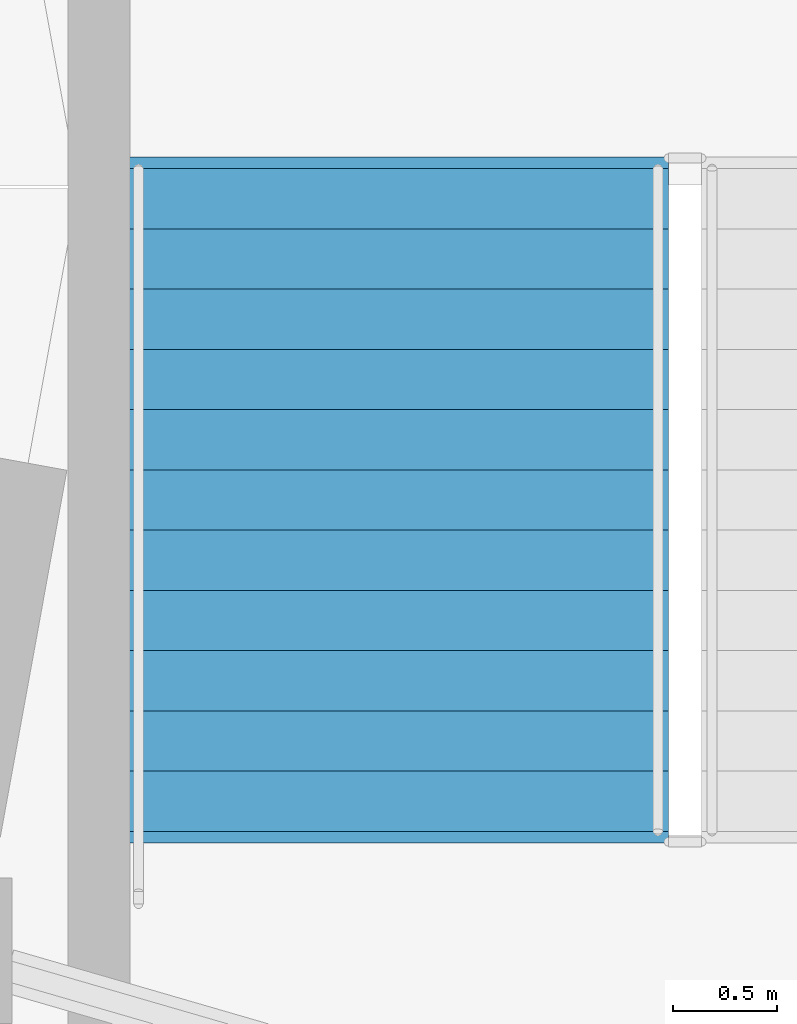
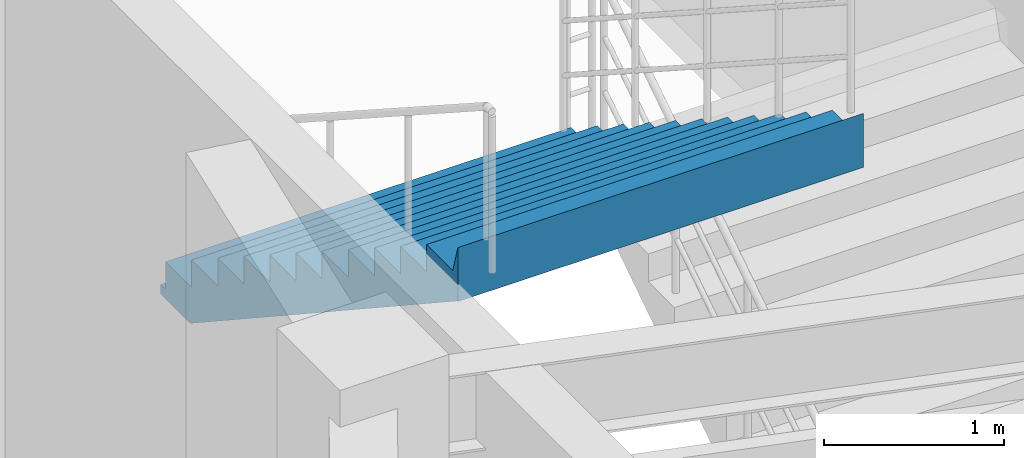
# One storey, part 52 of 60: 1 stair flight, 1 element without a shape of its own.
"""IFC4 building model written with IfcOpenShell, lengths in metres."""

from ifc_helpers import new_model, si_unit, direction, frame, origin, place, context, subcontext, project, spatial, polyline, outline, extrude, material, type_object, element, aggregate, save


model = new_model("IFC4")

# Units and contexts
model_context = context("Model", 3, precision=1e-05, world=origin(), true_north=direction((0.0, 1.0)))
body_context = subcontext(model_context, "Body", "Model", "MODEL_VIEW")
ifc_project = project(units=[si_unit("LENGTHUNIT", "METRE"), si_unit("AREAUNIT", "SQUARE_METRE"), si_unit("VOLUMEUNIT", "CUBIC_METRE"), si_unit("PLANEANGLEUNIT", "RADIAN"), si_unit("MASSUNIT", "GRAM", prefix="KILO")], contexts=[model_context])

# Site, building, storey
site_placement = place(None, origin())
site = spatial("IfcSite", under=ifc_project, at=site_placement, CompositionType="ELEMENT")
building_placement = place(site_placement, origin())
building = spatial("IfcBuilding", under=site, at=building_placement, Name="Cinderbank Siding Concert Hall", CompositionType="ELEMENT")
storey_placement = place(building_placement, frame((0.0, 0.0, 14.699951171875)))
storey = spatial("IfcBuildingStorey", under=building, at=storey_placement, Name="L04", CompositionType="ELEMENT", Elevation=14.699951171875)

# Stair, stair flight
ifc_material = material(Name="Reinforced concrete AS 3600 N50 (50 MPa)", Category="concrete")
stair_type = type_object("IfcStairType", Name="STR-B Dogleg Exit Stair 2600mm", PredefinedType="HALF_TURN_STAIR", material=ifc_material)
stair_placement = place(storey_placement, origin())
stair = element("IfcStair", 1, at=stair_placement, inside=storey, type_object=stair_type, Name="L04 Fire-isolated Exit Stair ST-03", PredefinedType="HALF_TURN_STAIR")
stair_flight_type = type_object("IfcStairFlightType", Name="SFL-B Concrete Stair Flight 2600mm", PredefinedType="STRAIGHT", material=ifc_material)
stair_flight_placement = place(storey_placement, frame((143.139892578125, 44.090087890625, 2.25), z_axis=(0.0, 0.0, 1.0), x_axis=(0.0, -1.0, 0.0)))
stair_flight = element("IfcStairFlight", 2, at=stair_flight_placement, type_object=stair_flight_type, Name="ST-03 flight 2", NumberOfRisers=12, NumberOfTreads=11, PredefinedType="STRAIGHT", RiserHeight=0.1875, TreadLength=0.29, context=body_context, shape_type="SweptSolid", body=[
    extrude(outline(polyline([(0.0, 0.0), (0.0, 0.1875), (0.2900390625, 0.1875), (0.2900390625, 0.375), (0.580078125, 0.375), (0.580078125, 0.5625), (0.8701171875, 0.5625), (0.8701171875, 0.75), (1.159912109375, 0.75), (1.159912109375, 0.9375), (1.449951171875, 0.9375), (1.449951171875, 1.125), (1.739990234375, 1.125), (1.739990234375, 1.3125), (2.030029296875, 1.3125), (2.030029296875, 1.5), (2.320068359375, 1.5), (2.320068359375, 1.6875), (2.610107421875, 1.6875), (2.610107421875, 1.875), (2.89990234375, 1.875), (2.89990234375, 2.0625), (3.18994140625, 2.0625), (3.244873046875, 2.25), (3.244873046875, 1.884033203125), (3.24462890625, 1.88427734375), (3.24462890625, 1.884521484375), (3.24462890625, 1.884765625), (3.24462890625, 1.885009765625), (3.24462890625, 1.88525390625), (3.24462890625, 1.885498046875), (3.24462890625, 1.8857421875), (3.24462890625, 1.885986328125), (3.24462890625, 1.88623046875), (3.24462890625, 1.886474609375), (3.24462890625, 1.88671875), (3.24462890625, 1.886962890625), (3.244384765625, 1.886962890625), (3.244384765625, 1.88671875), (3.244384765625, 1.886474609375), (3.244384765625, 1.88623046875), (3.244384765625, 1.885986328125), (3.244384765625, 1.8857421875), (3.244384765625, 1.885498046875), (3.244384765625, 1.88525390625), (3.244384765625, 1.885009765625), (3.244384765625, 1.884765625), (3.244384765625, 1.884521484375), (3.244384765625, 1.88427734375), (3.244384765625, 1.884033203125), (3.244140625, 1.88427734375), (3.244140625, 1.884521484375), (3.244140625, 1.884765625), (3.244140625, 1.885009765625), (3.244140625, 1.88525390625), (3.244140625, 1.885498046875), (3.244140625, 1.8857421875), (3.244140625, 1.885986328125), (3.244140625, 1.88623046875), (3.244140625, 1.886474609375), (3.244140625, 1.88671875), (3.244140625, 1.886962890625), (3.243896484375, 1.886962890625), (3.243896484375, 1.88671875), (3.243896484375, 1.886474609375), (3.243896484375, 1.88623046875), (3.243896484375, 1.885986328125), (3.243896484375, 1.8857421875), (3.243896484375, 1.885498046875), (3.243896484375, 1.88525390625), (3.243896484375, 1.885009765625), (3.243896484375, 1.884765625), (3.243896484375, 1.884521484375), (3.243896484375, 1.88427734375), (3.243896484375, 1.884033203125), (3.24365234375, 1.88427734375), (3.24365234375, 1.884521484375), (3.24365234375, 1.884765625), (3.24365234375, 1.885009765625), (3.24365234375, 1.88525390625), (3.24365234375, 1.885498046875), (3.24365234375, 1.8857421875), (3.24365234375, 1.885986328125), (3.24365234375, 1.88623046875), (3.24365234375, 1.886474609375), (3.24365234375, 1.88671875), (3.24365234375, 1.886962890625), (3.243408203125, 1.886962890625), (3.243408203125, 1.88671875), (3.243408203125, 1.886474609375), (3.243408203125, 1.88623046875), (3.243408203125, 1.885986328125), (3.243408203125, 1.8857421875), (3.243408203125, 1.885498046875), (3.243408203125, 1.88525390625), (3.243408203125, 1.885009765625), (3.243408203125, 1.884765625), (3.243408203125, 1.884521484375), (3.243408203125, 1.88427734375), (3.243408203125, 1.884033203125), (3.2431640625, 1.88427734375), (3.2431640625, 1.884521484375), (3.2431640625, 1.884765625), (3.2431640625, 1.885009765625), (3.2431640625, 1.88525390625), (3.2431640625, 1.885498046875), (3.2431640625, 1.8857421875), (3.2431640625, 1.885986328125), (3.2431640625, 1.88623046875), (3.2431640625, 1.886474609375), (3.2431640625, 1.88671875), (3.2431640625, 1.886962890625), (3.242919921875, 1.886962890625), (3.242919921875, 1.88671875), (3.242919921875, 1.886474609375), (3.242919921875, 1.88623046875), (3.242919921875, 1.885986328125), (3.242919921875, 1.8857421875), (3.242919921875, 1.885498046875), (3.242919921875, 1.88525390625), (3.242919921875, 1.885009765625), (3.242919921875, 1.884765625), (3.242919921875, 1.884521484375), (3.242919921875, 1.88427734375), (3.242919921875, 1.884033203125), (3.24267578125, 1.88427734375), (3.24267578125, 1.884521484375), (3.24267578125, 1.884765625), (3.24267578125, 1.885009765625), (3.24267578125, 1.88525390625), (3.24267578125, 1.885498046875), (3.24267578125, 1.8857421875), (3.24267578125, 1.885986328125), (3.24267578125, 1.88623046875), (3.24267578125, 1.886474609375), (3.24267578125, 1.88671875), (3.24267578125, 1.886962890625), (3.242431640625, 1.886962890625), (3.242431640625, 1.88671875), (3.242431640625, 1.886474609375), (3.242431640625, 1.88623046875), (3.242431640625, 1.885986328125), (3.242431640625, 1.8857421875), (3.242431640625, 1.885498046875), (3.242431640625, 1.88525390625), (3.242431640625, 1.885009765625), (3.242431640625, 1.884765625), (3.242431640625, 1.884521484375), (3.242431640625, 1.88427734375), (3.242431640625, 1.884033203125), (3.2421875, 1.88427734375), (3.2421875, 1.884521484375), (3.2421875, 1.884765625), (3.2421875, 1.885009765625), (3.2421875, 1.88525390625), (3.2421875, 1.885498046875), (3.2421875, 1.8857421875), (3.2421875, 1.885986328125), (3.2421875, 1.88623046875), (3.2421875, 1.886474609375), (3.2421875, 1.88671875), (3.2421875, 1.886962890625), (3.241943359375, 1.886962890625), (3.241943359375, 1.88671875), (3.241943359375, 1.886474609375), (3.241943359375, 1.88623046875), (3.241943359375, 1.885986328125), (3.241943359375, 1.8857421875), (3.241943359375, 1.885498046875), (3.241943359375, 1.88525390625), (3.241943359375, 1.885009765625), (3.241943359375, 1.884765625), (3.241943359375, 1.884521484375), (3.241943359375, 1.88427734375), (3.241943359375, 1.884033203125), (3.24169921875, 1.88427734375), (3.24169921875, 1.884521484375), (3.24169921875, 1.884765625), (3.24169921875, 1.885009765625), (3.24169921875, 1.88525390625), (3.24169921875, 1.885498046875), (3.24169921875, 1.8857421875), (3.24169921875, 1.885986328125), (3.24169921875, 1.88623046875), (3.24169921875, 1.886474609375), (3.24169921875, 1.88671875), (3.24169921875, 1.886962890625), (3.241455078125, 1.886962890625), (3.241455078125, 1.88671875), (3.241455078125, 1.886474609375), (3.241455078125, 1.88623046875), (3.241455078125, 1.885986328125), (3.241455078125, 1.8857421875), (3.241455078125, 1.885498046875), (3.241455078125, 1.88525390625), (3.241455078125, 1.885009765625), (3.241455078125, 1.884765625), (3.241455078125, 1.884521484375), (3.241455078125, 1.88427734375), (3.241455078125, 1.884033203125), (3.2412109375, 1.88427734375), (3.2412109375, 1.884521484375), (3.2412109375, 1.884765625), (3.2412109375, 1.885009765625), (3.2412109375, 1.88525390625), (3.2412109375, 1.885498046875), (3.2412109375, 1.8857421875), (3.2412109375, 1.885986328125), (3.2412109375, 1.88623046875), (3.2412109375, 1.886474609375), (3.2412109375, 1.88671875), (3.2412109375, 1.886962890625), (3.240966796875, 1.886962890625), (3.240966796875, 1.88671875), (3.240966796875, 1.886474609375), (3.240966796875, 1.88623046875), (3.240966796875, 1.885986328125), (3.240966796875, 1.8857421875), (3.240966796875, 1.885498046875), (3.240966796875, 1.88525390625), (3.240966796875, 1.885009765625), (3.240966796875, 1.884765625), (3.240966796875, 1.884521484375), (3.240966796875, 1.88427734375), (3.240966796875, 1.884033203125), (3.24072265625, 1.88427734375), (3.24072265625, 1.884521484375), (3.24072265625, 1.884765625), (3.24072265625, 1.885009765625), (3.24072265625, 1.88525390625), (3.24072265625, 1.885498046875), (3.24072265625, 1.8857421875), (3.24072265625, 1.885986328125), (3.24072265625, 1.88623046875), (3.24072265625, 1.886474609375), (3.24072265625, 1.88671875), (3.24072265625, 1.886962890625), (3.240478515625, 1.886962890625), (3.240478515625, 1.88671875), (3.240478515625, 1.886474609375), (3.240478515625, 1.88623046875), (3.240478515625, 1.885986328125), (3.240478515625, 1.8857421875), (3.240478515625, 1.885498046875), (3.240478515625, 1.88525390625), (3.240478515625, 1.885009765625), (3.240478515625, 1.884765625), (3.240478515625, 1.884521484375), (3.240478515625, 1.88427734375), (3.240478515625, 1.884033203125), (3.240234375, 1.88427734375), (3.240234375, 1.884521484375), (3.240234375, 1.884765625), (3.240234375, 1.885009765625), (3.240234375, 1.88525390625), (3.240234375, 1.885498046875), (3.240234375, 1.8857421875), (3.240234375, 1.885986328125), (3.240234375, 1.88623046875), (3.240234375, 1.886474609375), (3.240234375, 1.88671875), (3.240234375, 1.886962890625), (3.239990234375, 1.886962890625), (3.239990234375, 1.88671875), (3.239990234375, 1.886474609375), (3.239990234375, 1.88623046875), (3.239990234375, 1.885986328125), (3.239990234375, 1.8857421875), (3.239990234375, 1.885498046875), (3.239990234375, 1.88525390625), (3.239990234375, 1.885009765625), (3.239990234375, 1.884765625), (3.239990234375, 1.884521484375), (3.239990234375, 1.88427734375), (3.239990234375, 1.884033203125), (3.23974609375, 1.88427734375), (3.23974609375, 1.884521484375), (3.23974609375, 1.884765625), (3.23974609375, 1.885009765625), (3.23974609375, 1.88525390625), (3.23974609375, 1.885498046875), (3.23974609375, 1.8857421875), (3.23974609375, 1.885986328125), (3.23974609375, 1.88623046875), (3.23974609375, 1.886474609375), (3.23974609375, 1.88671875), (3.23974609375, 1.886962890625), (3.239501953125, 1.886962890625), (3.239501953125, 1.88671875), (3.239501953125, 1.886474609375), (3.239501953125, 1.88623046875), (3.239501953125, 1.885986328125), (3.239501953125, 1.8857421875), (3.239501953125, 1.885498046875), (3.239501953125, 1.88525390625), (3.239501953125, 1.885009765625), (3.239501953125, 1.884765625), (3.239501953125, 1.884521484375), (3.239501953125, 1.88427734375), (3.239501953125, 1.884033203125), (3.2392578125, 1.88427734375), (3.2392578125, 1.884521484375), (3.2392578125, 1.884765625), (3.2392578125, 1.885009765625), (3.2392578125, 1.88525390625), (3.2392578125, 1.885498046875), (3.2392578125, 1.8857421875), (3.2392578125, 1.885986328125), (3.2392578125, 1.88623046875), (3.2392578125, 1.886474609375), (3.2392578125, 1.88671875), (3.2392578125, 1.886962890625), (3.239013671875, 1.886962890625), (3.239013671875, 1.88671875), (3.239013671875, 1.886474609375), (3.239013671875, 1.88623046875), (3.239013671875, 1.885986328125), (3.239013671875, 1.8857421875), (3.239013671875, 1.885498046875), (3.239013671875, 1.88525390625), (3.239013671875, 1.885009765625), (3.239013671875, 1.884765625), (3.239013671875, 1.884521484375), (3.239013671875, 1.88427734375), (3.239013671875, 1.884033203125), (3.23876953125, 1.88427734375), (3.23876953125, 1.884521484375), (3.23876953125, 1.884765625), (3.23876953125, 1.885009765625), (3.23876953125, 1.88525390625), (3.23876953125, 1.885498046875), (3.23876953125, 1.8857421875), (3.23876953125, 1.885986328125), (3.23876953125, 1.88623046875), (3.23876953125, 1.886474609375), (3.23876953125, 1.88671875), (3.23876953125, 1.886962890625), (3.238525390625, 1.886962890625), (3.238525390625, 1.88671875), (3.238525390625, 1.886474609375), (3.238525390625, 1.88623046875), (3.238525390625, 1.885986328125), (3.238525390625, 1.8857421875), (3.238525390625, 1.885498046875), (3.238525390625, 1.88525390625), (3.238525390625, 1.885009765625), (3.238525390625, 1.884765625), (3.238525390625, 1.884521484375), (3.238525390625, 1.88427734375), (3.238525390625, 1.884033203125), (0.276123046875, -0.06396484375), (-0.048583984375, -0.063720703125), (-0.048583984375, -0.0634765625), (-0.048583984375, -0.063232421875), (-0.048583984375, -0.06298828125), (-0.048583984375, -0.062744140625), (-0.048583984375, -0.0625), (-0.048583984375, -0.062255859375), (-0.048583984375, -0.06201171875), (-0.048583984375, -0.061767578125), (-0.048583984375, -0.0615234375), (-0.048583984375, -0.061279296875), (-0.048583984375, -0.06103515625), (-0.048828125, -0.06103515625), (-0.048828125, -0.061279296875), (-0.048828125, -0.0615234375), (-0.048828125, -0.061767578125), (-0.048828125, -0.06201171875), (-0.048828125, -0.062255859375), (-0.048828125, -0.0625), (-0.048828125, -0.062744140625), (-0.048828125, -0.06298828125), (-0.048828125, -0.063232421875), (-0.048828125, -0.0634765625), (-0.048828125, -0.063720703125), (-0.048828125, -0.06396484375), (-0.049072265625, -0.063720703125), (-0.049072265625, -0.0634765625), (-0.049072265625, -0.063232421875), (-0.049072265625, -0.06298828125), (-0.049072265625, -0.062744140625), (-0.049072265625, -0.0625), (-0.049072265625, -0.062255859375), (-0.049072265625, -0.06201171875), (-0.049072265625, -0.061767578125), (-0.049072265625, -0.0615234375), (-0.049072265625, -0.061279296875), (-0.049072265625, -0.06103515625), (-0.04931640625, -0.06103515625), (-0.04931640625, -0.061279296875), (-0.04931640625, -0.0615234375), (-0.04931640625, -0.061767578125), (-0.04931640625, -0.06201171875), (-0.04931640625, -0.062255859375), (-0.04931640625, -0.0625), (-0.04931640625, -0.062744140625), (-0.04931640625, -0.06298828125), (-0.04931640625, -0.063232421875), (-0.04931640625, -0.0634765625), (-0.04931640625, -0.063720703125), (-0.04931640625, -0.06396484375), (-0.049560546875, -0.063720703125), (-0.049560546875, -0.0634765625), (-0.049560546875, -0.063232421875), (-0.049560546875, -0.06298828125), (-0.049560546875, -0.062744140625), (-0.049560546875, -0.0625), (-0.049560546875, -0.062255859375), (-0.049560546875, -0.06201171875), (-0.049560546875, -0.061767578125), (-0.049560546875, -0.0615234375), (-0.049560546875, -0.061279296875), (-0.049560546875, -0.06103515625), (-0.0498046875, -0.06103515625), (-0.0498046875, -0.061279296875), (-0.0498046875, -0.0615234375), (-0.0498046875, -0.061767578125), (-0.0498046875, -0.06201171875), (-0.0498046875, -0.062255859375), (-0.0498046875, -0.0625), (-0.0498046875, -0.062744140625), (-0.0498046875, -0.06298828125), (-0.0498046875, -0.063232421875), (-0.0498046875, -0.0634765625), (-0.0498046875, -0.063720703125), (-0.0498046875, -0.06396484375), (-0.050048828125, -0.063720703125), (-0.050048828125, -0.0634765625), (-0.050048828125, -0.063232421875), (-0.050048828125, -0.06298828125), (-0.050048828125, -0.062744140625), (-0.050048828125, -0.0625), (-0.050048828125, -0.062255859375), (-0.050048828125, -0.06201171875), (-0.050048828125, -0.061767578125), (-0.050048828125, -0.0615234375), (-0.050048828125, -0.061279296875), (-0.050048828125, -0.06103515625), (-0.05029296875, -0.06103515625), (-0.05029296875, -0.061279296875), (-0.05029296875, -0.0615234375), (-0.05029296875, -0.061767578125), (-0.05029296875, -0.06201171875), (-0.05029296875, -0.062255859375), (-0.05029296875, -0.0625), (-0.05029296875, -0.062744140625), (-0.05029296875, -0.06298828125), (-0.05029296875, -0.063232421875), (-0.05029296875, -0.0634765625), (-0.05029296875, -0.063720703125), (-0.05029296875, -0.06396484375), (-0.050537109375, -0.063720703125), (-0.050537109375, -0.0634765625), (-0.050537109375, -0.063232421875), (-0.050537109375, -0.06298828125), (-0.050537109375, -0.062744140625), (-0.050537109375, -0.0625), (-0.050537109375, -0.062255859375), (-0.050537109375, -0.06201171875), (-0.050537109375, -0.061767578125), (-0.050537109375, -0.0615234375), (-0.050537109375, -0.061279296875), (-0.050537109375, -0.06103515625), (-0.05078125, -0.06103515625), (-0.05078125, -0.061279296875), (-0.05078125, -0.0615234375), (-0.05078125, -0.061767578125), (-0.05078125, -0.06201171875), (-0.05078125, -0.062255859375), (-0.05078125, -0.0625), (-0.05078125, -0.062744140625), (-0.05078125, -0.06298828125), (-0.05078125, -0.063232421875), (-0.05078125, -0.0634765625), (-0.05078125, -0.063720703125), (-0.05078125, -0.06396484375), (-0.051025390625, -0.063720703125), (-0.051025390625, -0.0634765625), (-0.051025390625, -0.063232421875), (-0.051025390625, -0.06298828125), (-0.051025390625, -0.062744140625), (-0.051025390625, -0.0625), (-0.051025390625, -0.062255859375), (-0.051025390625, -0.06201171875), (-0.051025390625, -0.061767578125), (-0.051025390625, -0.0615234375), (-0.051025390625, -0.061279296875), (-0.051025390625, -0.06103515625), (-0.05126953125, -0.06103515625), (-0.05126953125, -0.061279296875), (-0.05126953125, -0.0615234375), (-0.05126953125, -0.061767578125), (-0.05126953125, -0.06201171875), (-0.05126953125, -0.062255859375), (-0.05126953125, -0.0625), (-0.05126953125, -0.062744140625), (-0.05126953125, -0.06298828125), (-0.05126953125, -0.063232421875), (-0.05126953125, -0.0634765625), (-0.05126953125, -0.063720703125), (-0.05126953125, -0.06396484375), (-0.051513671875, -0.063720703125), (-0.051513671875, -0.0634765625), (-0.051513671875, -0.063232421875), (-0.051513671875, -0.06298828125), (-0.051513671875, -0.062744140625), (-0.051513671875, -0.0625), (-0.051513671875, -0.062255859375), (-0.051513671875, -0.06201171875), (-0.051513671875, -0.061767578125), (-0.051513671875, -0.0615234375), (-0.051513671875, -0.061279296875), (-0.051513671875, -0.06103515625), (-0.0517578125, -0.06103515625), (-0.0517578125, -0.061279296875), (-0.0517578125, -0.0615234375), (-0.0517578125, -0.061767578125), (-0.0517578125, -0.06201171875), (-0.0517578125, -0.062255859375), (-0.0517578125, -0.0625), (-0.0517578125, -0.062744140625), (-0.0517578125, -0.06298828125), (-0.0517578125, -0.063232421875), (-0.0517578125, -0.0634765625), (-0.0517578125, -0.063720703125), (-0.0517578125, -0.06396484375), (-0.052001953125, -0.063720703125), (-0.052001953125, -0.0634765625), (-0.052001953125, -0.063232421875), (-0.052001953125, -0.06298828125), (-0.052001953125, -0.062744140625), (-0.052001953125, -0.0625), (-0.052001953125, -0.062255859375), (-0.052001953125, -0.06201171875), (-0.052001953125, -0.061767578125), (-0.052001953125, -0.0615234375), (-0.052001953125, -0.061279296875), (-0.052001953125, -0.06103515625), (-0.05224609375, -0.06103515625), (-0.05224609375, -0.061279296875), (-0.05224609375, -0.0615234375), (-0.05224609375, -0.061767578125), (-0.05224609375, -0.06201171875), (-0.05224609375, -0.062255859375), (-0.05224609375, -0.0625), (-0.05224609375, -0.062744140625), (-0.05224609375, -0.06298828125), (-0.05224609375, -0.063232421875), (-0.05224609375, -0.0634765625), (-0.05224609375, -0.063720703125), (-0.05224609375, -0.06396484375), (-0.052490234375, -0.063720703125), (-0.052490234375, -0.0634765625), (-0.052490234375, -0.063232421875), (-0.052490234375, -0.06298828125), (-0.052490234375, -0.062744140625), (-0.052490234375, -0.0625), (-0.052490234375, -0.062255859375), (-0.052490234375, -0.06201171875), (-0.052490234375, -0.061767578125), (-0.052490234375, -0.0615234375), (-0.052490234375, -0.061279296875), (-0.052490234375, -0.06103515625), (-0.052734375, -0.06103515625), (-0.052734375, -0.061279296875), (-0.052734375, -0.0615234375), (-0.052734375, -0.061767578125), (-0.052734375, -0.06201171875), (-0.052734375, -0.062255859375), (-0.052734375, -0.0625), (-0.052734375, -0.062744140625), (-0.052734375, -0.06298828125), (-0.052734375, -0.063232421875), (-0.052734375, -0.0634765625), (-0.052734375, -0.063720703125), (-0.052734375, -0.06396484375), (-0.052978515625, -0.063720703125), (-0.052978515625, -0.0634765625), (-0.052978515625, -0.063232421875), (-0.052978515625, -0.06298828125), (-0.052978515625, -0.062744140625), (-0.052978515625, -0.0625), (-0.052978515625, -0.062255859375), (-0.052978515625, -0.06201171875), (-0.052978515625, -0.061767578125), (-0.052978515625, -0.0615234375), (-0.052978515625, -0.061279296875), (-0.052978515625, -0.06103515625), (-0.05322265625, -0.06103515625), (-0.05322265625, -0.061279296875), (-0.05322265625, -0.0615234375), (-0.05322265625, -0.061767578125), (-0.05322265625, -0.06201171875), (-0.05322265625, -0.062255859375), (-0.05322265625, -0.0625), (-0.05322265625, -0.062744140625), (-0.05322265625, -0.06298828125), (-0.05322265625, -0.063232421875), (-0.05322265625, -0.0634765625), (-0.05322265625, -0.063720703125), (-0.05322265625, -0.06396484375), (-0.053466796875, -0.063720703125), (-0.053466796875, -0.0634765625), (-0.053466796875, -0.063232421875), (-0.053466796875, -0.06298828125), (-0.053466796875, -0.062744140625), (-0.053466796875, -0.0625), (-0.053466796875, -0.062255859375), (-0.053466796875, -0.06201171875), (-0.053466796875, -0.061767578125), (-0.053466796875, -0.0615234375), (-0.053466796875, -0.061279296875), (-0.053466796875, -0.06103515625), (-0.0537109375, -0.06103515625), (-0.0537109375, -0.061279296875), (-0.0537109375, -0.0615234375), (-0.0537109375, -0.061767578125), (-0.0537109375, -0.06201171875), (-0.0537109375, -0.062255859375), (-0.0537109375, -0.0625), (-0.0537109375, -0.062744140625), (-0.0537109375, -0.06298828125), (-0.0537109375, -0.063232421875), (-0.0537109375, -0.0634765625), (-0.0537109375, -0.063720703125), (-0.0537109375, -0.06396484375), (-0.053955078125, -0.063720703125), (-0.053955078125, -0.0634765625), (-0.053955078125, -0.063232421875), (-0.053955078125, -0.06298828125), (-0.053955078125, -0.062744140625), (-0.053955078125, -0.0625), (-0.053955078125, -0.062255859375), (-0.053955078125, -0.06201171875), (-0.053955078125, -0.061767578125), (-0.053955078125, -0.0615234375), (-0.053955078125, -0.061279296875), (-0.053955078125, -0.06103515625), (-0.05419921875, -0.06103515625), (-0.05419921875, -0.061279296875), (-0.05419921875, -0.0615234375), (-0.05419921875, -0.061767578125), (-0.05419921875, -0.06201171875), (-0.05419921875, -0.062255859375), (-0.05419921875, -0.0625), (-0.05419921875, -0.062744140625), (-0.05419921875, -0.06298828125), (-0.05419921875, -0.063232421875), (-0.05419921875, -0.0634765625), (-0.05419921875, -0.063720703125), (-0.05419921875, -0.06396484375), (-0.054443359375, -0.063720703125), (-0.054443359375, -0.0634765625), (-0.054443359375, -0.063232421875), (-0.054443359375, -0.06298828125), (-0.054443359375, -0.062744140625), (-0.054443359375, -0.0625), (-0.054443359375, -0.062255859375), (-0.054443359375, -0.06201171875), (-0.054443359375, -0.061767578125), (-0.054443359375, -0.0615234375), (-0.054443359375, -0.061279296875), (-0.054443359375, -0.06103515625), (-0.0546875, -0.06103515625), (-0.0546875, -0.061279296875), (-0.0546875, -0.0615234375), (-0.0546875, -0.061767578125), (-0.0546875, -0.06201171875), (-0.0546875, -0.062255859375), (-0.0546875, -0.0625), (-0.0546875, -0.062744140625), (-0.0546875, -0.06298828125), (-0.0546875, -0.063232421875), (-0.0546875, -0.0634765625), (-0.0546875, -0.063720703125), (-0.0546875, -0.06396484375), (-0.054931640625, -0.06396484375), (-0.054931640625, 0.0), (0.0, 0.0)])), frame((0.0, 1.300048828125, 0.0), z_axis=(0.0, -1.0, 0.0), x_axis=(1.0, 0.0, 0.0)), (0.0, 0.0, 1.0), 2.60009765625),
])
aggregate(stair, [stair_flight])

save(model, "model.ifc")
